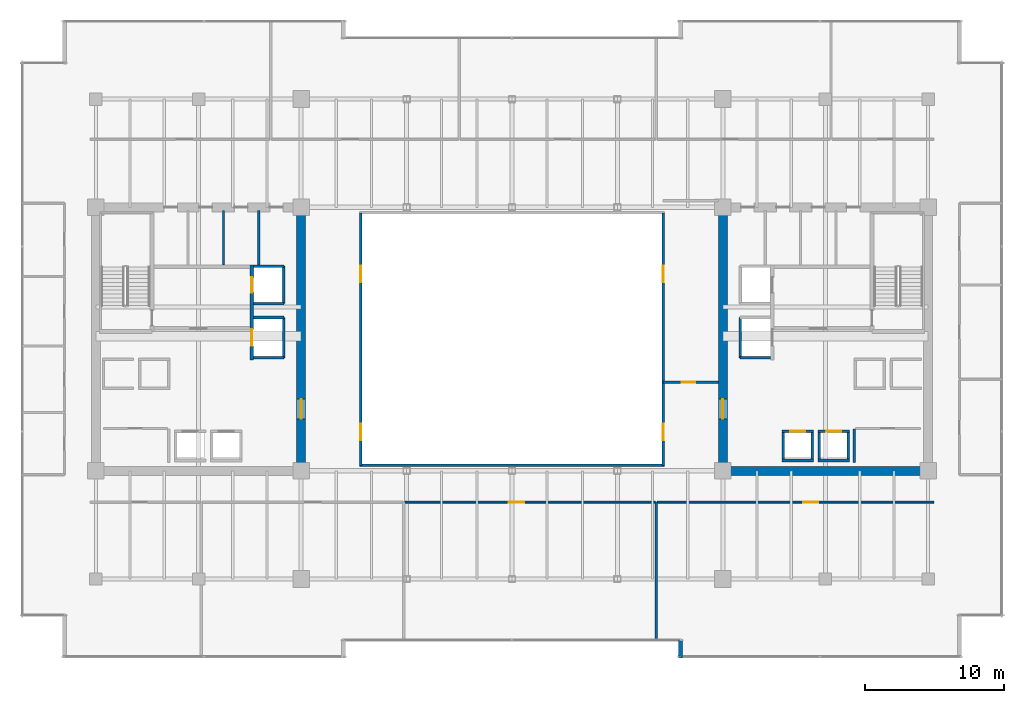
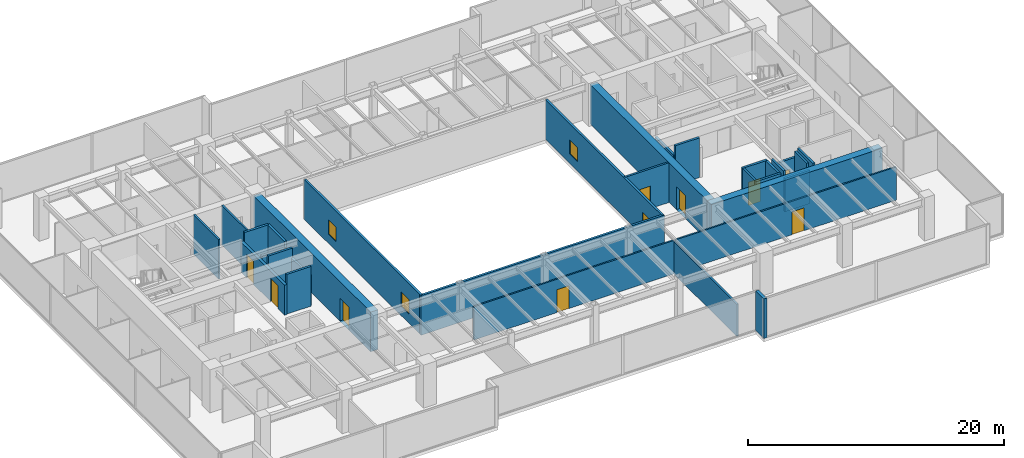
# One storey, part 26 of 31: 31 walls, 9 doors, 4 windows, 13 openings.
"""IFC4 building model written with IfcOpenShell, lengths in metres."""

from ifc_helpers import new_model, si_unit, direction, frame, frame_2d, origin, place, context, subcontext, project, spatial, rectangle, extrude, source, transform, mapped, material, layer, layer_set, type_object, type_shapes, element, fill, save


model = new_model("IFC4")

# Units and contexts
model_context = context("Model", 3, precision=1e-05, world=origin(), true_north=direction((0.0, 1.0)))
body_context = subcontext(model_context, "Body", "Model", "MODEL_VIEW")
ifc_project = project(units=[si_unit("LENGTHUNIT", "METRE"), si_unit("AREAUNIT", "SQUARE_METRE"), si_unit("VOLUMEUNIT", "CUBIC_METRE"), si_unit("PLANEANGLEUNIT", "RADIAN"), si_unit("MASSUNIT", "GRAM", prefix="KILO")], contexts=[model_context])

# Site, building, storey
site_placement = place(None, origin())
site = spatial("IfcSite", under=ifc_project, at=site_placement, CompositionType="ELEMENT")
building_placement = place(site_placement, origin())
building = spatial("IfcBuilding", under=site, at=building_placement, Name="Haelvirn Gate Laboratories", CompositionType="ELEMENT")
storey_placement = place(building_placement, frame((0.0, 0.0, 154.300048828125)))
storey = spatial("IfcBuildingStorey", under=building, at=storey_placement, Name="L37", CompositionType="ELEMENT", Elevation=154.300048828125)

# Walls
ifc_material_1 = material(Name="Thermally-broken bronze aluminium rainscreen & mineral wool", Category="aluminium")
ifc_layer_1 = layer(ifc_material_1, 0.280029296875, Name="EW-TERR-280")
ifc_layer_set_1 = layer_set([ifc_layer_1], Name="Thermally-broken bronze aluminium rainscreen & mineral wool")
wall_type_1 = type_object("IfcWallType", Name="EW-TERR-280", PredefinedType="STANDARD", material=ifc_layer_set_1)
wall_1_placement = place(storey_placement, frame((49.5400390625, 2.587890625, 0.0), z_axis=(0.0, 0.0, 1.0), x_axis=(0.0, -1.0, 0.0)))
element("IfcWall", 1, at=wall_1_placement, inside=storey, type_object=wall_type_1, Name="L37 Atrium Recess Bronze Return Wall 03", PredefinedType="STANDARD", context=body_context, shape_type="SweptSolid", body=[
    extrude(rectangle(XDim=1.287841796875, YDim=0.280029296875, at=frame_2d((0.64404296875, 0.0))), origin(), (0.0, 0.0, 1.0), 3.7900390625),
])
ifc_material_2 = material(Name="Double-layer acoustic gypsum laboratory partition", Category="gypsum")
ifc_layer_2 = layer(ifc_material_2, 0.159912109375, Name="IW-ACOUST-160")
ifc_layer_set_2 = layer_set([ifc_layer_2], Name="Double-layer acoustic gypsum laboratory partition")
wall_type_2 = type_object("IfcWallType", Name="IW-ACOUST-160", PredefinedType="PARTITIONING", material=ifc_layer_set_2)
wall_2_placement = place(storey_placement, frame((47.800048828125, 2.610107421875, 0.0), z_axis=(0.0, 0.0, 1.0), x_axis=(0.0, 1.0, 0.0)))
element("IfcWall", 2, at=wall_2_placement, inside=storey, type_object=wall_type_2, Name="L37 Interior Wall IW-L37-SDIV-03", PredefinedType="PARTITIONING", context=body_context, shape_type="SweptSolid", body=[
    extrude(rectangle(XDim=9.929931640625, YDim=0.159912109375, at=frame_2d((4.96484375, 0.0))), origin(), (0.0, 0.0, 1.0), 3.074951171875),
])

# Wall, opening, door
ifc_material_3 = material(Name="Fire-rated acoustic gypsum board partition", Category="gypsum")
ifc_layer_3 = layer(ifc_material_3, 0.175048828125, Name="IW-ACOUST-180")
ifc_layer_set_3 = layer_set([ifc_layer_3], Name="Fire-rated acoustic gypsum board partition")
wall_type_3 = type_object("IfcWallType", Name="IW-ACOUST-180", PredefinedType="PARTITIONING", material=ifc_layer_set_3)
wall_3_placement = place(storey_placement, frame((48.300048828125, 21.179931640625, 0.0), z_axis=(0.0, 0.0, 1.0), x_axis=(1.0, 0.0, 0.0)))
wall_3 = element("IfcWall", 3, at=wall_3_placement, inside=storey, type_object=wall_type_3, Name="L37 Interior Wall IW-L37-ASEM-S", PredefinedType="PARTITIONING", context=body_context, shape_type="SweptSolid", body=[
    extrude(rectangle(XDim=3.974853515625, YDim=0.175048828125, at=frame_2d((1.9873046875, 0.0))), origin(), (0.0, 0.0, 1.0), 3.7900390625),
])
opening_1_placement = place(wall_3_placement, frame((1.35009765625, 0.0, 0.0)))
opening_1 = element("IfcOpeningElement", 4, at=opening_1_placement, cuts=wall_3, Name="Opening FD4", PredefinedType="OPENING", context=body_context, shape_type="SweptSolid", body=[
    extrude(rectangle(XDim=0.949951171875, YDim=2.14990234375, at=frame_2d((0.47509765625, 1.074951171875))), frame((0.0, 0.09765625, 0.0), z_axis=(0.0, -1.0, 0.0), x_axis=(1.0, 0.0, 0.0)), (0.0, 0.0, 1.0), 0.195068359375),
])
ifc_material_4 = material(Name="Fire-rated steel SM355 core service door", Category="steel")
door_type_1 = type_object("IfcDoorType", Name="DR-FD-950", OperationType="NOTDEFINED", PredefinedType="DOOR", material=ifc_material_4)
shared_shape_1 = source(origin(), body_context, "Body", "SweptSolid", [
    extrude(rectangle(XDim=0.949951171875, YDim=2.14990234375, at=frame_2d((0.47509765625, 1.074951171875))), frame((0.0, 0.02490234375, 0.0), z_axis=(0.0, -1.0, 0.0), x_axis=(1.0, 0.0, 0.0)), (0.0, 0.0, 1.0), 0.050048828125),
])
type_shapes(door_type_1, [shared_shape_1])
door_1_placement = place(opening_1_placement, origin())
door_1 = element("IfcDoor", 5, at=door_1_placement, inside=storey, type_object=door_type_1, Name="L37 Atrium Bioinformatics Suite Door", OperationType="SINGLE_SWING_LEFT", OverallHeight=2.14990234375, OverallWidth=0.949951171875, PredefinedType="DOOR", context=body_context, shape_type="MappedRepresentation", body=[
    mapped(shared_shape_1, transform((0.0, 0.0, 0.0), scale=1.0)),
])
fill(opening_1, door_1)

# Wall, openings, windows
ifc_material_5 = material(Name="Tempered fire-rated borosilicate glass & anodised aluminium", Category="aluminium")
ifc_layer_4 = layer(ifc_material_5, 0.195068359375, Name="IW-GLAZ-200")
ifc_layer_set_4 = layer_set([ifc_layer_4], Name="Tempered fire-rated borosilicate glass & anodised aluminium")
wall_type_4 = type_object("IfcWallType", Name="IW-GLAZ-200", PredefinedType="SOLIDWALL", material=ifc_layer_set_4)
wall_4_placement = place(storey_placement, frame((26.5, 15.199951171875, 0.0), z_axis=(0.0, 0.0, 1.0), x_axis=(0.0, 1.0, 0.0)))
wall_4 = element("IfcWall", 6, at=wall_4_placement, inside=storey, type_object=wall_type_4, Name="L37 Interior Wall IW-L37-ATRIUM-W", PredefinedType="SOLIDWALL", context=body_context, shape_type="SweptSolid", body=[
    extrude(rectangle(XDim=18.199951171875, YDim=0.195068359375, at=frame_2d((9.10009765625, 0.0))), origin(), (0.0, 0.0, 1.0), 3.7900390625),
])
opening_2_placement = place(wall_4_placement, frame((1.800048828125, 0.0, 0.89990234375)))
opening_2 = element("IfcOpeningElement", 7, at=opening_2_placement, cuts=wall_4, Name="Opening W6", PredefinedType="OPENING", context=body_context, shape_type="SweptSolid", body=[
    extrude(rectangle(XDim=1.199951171875, YDim=1.35009765625, at=frame_2d((0.60009765625, 0.675048828125))), frame((0.0, 0.107421875, 0.0), z_axis=(0.0, -1.0, 0.0), x_axis=(1.0, 0.0, 0.0)), (0.0, 0.0, 1.0), 0.215087890625),
])
opening_3_placement = place(wall_4_placement, frame((13.199951171875, 0.0, 0.89990234375)))
opening_3 = element("IfcOpeningElement", 8, at=opening_3_placement, cuts=wall_4, Name="Opening W6", PredefinedType="OPENING", context=body_context, shape_type="SweptSolid", body=[
    extrude(rectangle(XDim=1.199951171875, YDim=1.35009765625, at=frame_2d((0.60009765625, 0.675048828125))), frame((0.0, 0.107421875, 0.0), z_axis=(0.0, -1.0, 0.0), x_axis=(1.0, 0.0, 0.0)), (0.0, 0.0, 1.0), 0.215087890625),
])
ifc_material_6 = material(Name="Fire-rated EI 120 borosilicate atrium vision glazing", Category="glass")
window_type = type_object("IfcWindowType", Name="WN-ATR-1200", PartitioningType="SINGLE_PANEL", PredefinedType="WINDOW", material=ifc_material_6)
shared_shape_2 = source(origin(), body_context, "Body", "SweptSolid", [
    extrude(rectangle(XDim=1.199951171875, YDim=1.35009765625, at=frame_2d((0.60009765625, 0.675048828125))), frame((0.0, 0.030029296875, 0.0), z_axis=(0.0, -1.0, 0.0), x_axis=(1.0, 0.0, 0.0)), (0.0, 0.0, 1.0), 0.06005859375),
])
type_shapes(window_type, [shared_shape_2])
window_1_placement = place(opening_2_placement, origin())
window_1 = element("IfcWindow", 9, at=window_1_placement, inside=storey, type_object=window_type, Name="L37 Atrium Observation Window 1", OverallHeight=1.35009765625, OverallWidth=1.199951171875, PartitioningType="SINGLE_PANEL", PredefinedType="WINDOW", context=body_context, shape_type="MappedRepresentation", body=[
    mapped(shared_shape_2, transform((0.0, 0.0, 0.0), scale=1.0)),
])
fill(opening_2, window_1)
window_2_placement = place(opening_3_placement, origin())
window_2 = element("IfcWindow", 10, at=window_2_placement, inside=storey, type_object=window_type, Name="L37 Atrium Observation Window 2", OverallHeight=1.35009765625, OverallWidth=1.199951171875, PartitioningType="SINGLE_PANEL", PredefinedType="WINDOW", context=body_context, shape_type="MappedRepresentation", body=[
    mapped(shared_shape_2, transform((0.0, 0.0, 0.0), scale=1.0)),
])
fill(opening_3, window_2)

wall_5_placement = place(storey_placement, frame((48.300048828125, 15.199951171875, 0.0), z_axis=(0.0, 0.0, 1.0), x_axis=(0.0, 1.0, 0.0)))
wall_5 = element("IfcWall", 11, at=wall_5_placement, inside=storey, type_object=wall_type_4, Name="L37 Interior Wall IW-L37-ATRIUM-E", PredefinedType="SOLIDWALL", context=body_context, shape_type="SweptSolid", body=[
    extrude(rectangle(XDim=18.199951171875, YDim=0.195068359375, at=frame_2d((9.10009765625, 0.0))), origin(), (0.0, 0.0, 1.0), 3.7900390625),
])
opening_4_placement = place(wall_5_placement, frame((1.800048828125, 0.0, 0.89990234375)))
opening_4 = element("IfcOpeningElement", 12, at=opening_4_placement, cuts=wall_5, Name="Opening W6", PredefinedType="OPENING", context=body_context, shape_type="SweptSolid", body=[
    extrude(rectangle(XDim=1.199951171875, YDim=1.35009765625, at=frame_2d((0.60009765625, 0.675048828125))), frame((0.0, 0.107421875, 0.0), z_axis=(0.0, -1.0, 0.0), x_axis=(1.0, 0.0, 0.0)), (0.0, 0.0, 1.0), 0.215087890625),
])
opening_5_placement = place(wall_5_placement, frame((13.199951171875, 0.0, 0.89990234375)))
opening_5 = element("IfcOpeningElement", 13, at=opening_5_placement, cuts=wall_5, Name="Opening W6", PredefinedType="OPENING", context=body_context, shape_type="SweptSolid", body=[
    extrude(rectangle(XDim=1.199951171875, YDim=1.35009765625, at=frame_2d((0.60009765625, 0.675048828125))), frame((0.0, 0.107421875, 0.0), z_axis=(0.0, -1.0, 0.0), x_axis=(1.0, 0.0, 0.0)), (0.0, 0.0, 1.0), 0.215087890625),
])
window_3_placement = place(opening_4_placement, origin())
window_3 = element("IfcWindow", 14, at=window_3_placement, inside=storey, type_object=window_type, Name="L37 Atrium Observation Window 1", OverallHeight=1.35009765625, OverallWidth=1.199951171875, PartitioningType="SINGLE_PANEL", PredefinedType="WINDOW", context=body_context, shape_type="MappedRepresentation", body=[
    mapped(shared_shape_2, transform((0.0, 0.0, 0.0), scale=1.0)),
])
fill(opening_4, window_3)
window_4_placement = place(opening_5_placement, origin())
window_4 = element("IfcWindow", 15, at=window_4_placement, inside=storey, type_object=window_type, Name="L37 Atrium Observation Window 2", OverallHeight=1.35009765625, OverallWidth=1.199951171875, PartitioningType="SINGLE_PANEL", PredefinedType="WINDOW", context=body_context, shape_type="MappedRepresentation", body=[
    mapped(shared_shape_2, transform((0.0, 0.0, 0.0), scale=1.0)),
])
fill(opening_5, window_4)

# Wall
wall_6_placement = place(storey_placement, frame((26.39990234375, 15.199951171875, 0.0), z_axis=(0.0, 0.0, 1.0), x_axis=(1.0, 0.0, 0.0)))
element("IfcWall", 16, at=wall_6_placement, inside=storey, type_object=wall_type_4, Name="L37 Interior Wall IW-L37-ATRIUM-S", PredefinedType="SOLIDWALL", context=body_context, shape_type="SweptSolid", body=[
    extrude(rectangle(XDim=22.0, YDim=0.195068359375, at=frame_2d((11.0, 0.0))), origin(), (0.0, 0.0, 1.0), 3.7900390625),
])

# Wall, opening, door
ifc_material_7 = material(Name="Acoustic mineral-wool gypsum board partition", Category="gypsum")
ifc_layer_5 = layer(ifc_material_7, 0.139892578125, Name="IW-PART-140")
ifc_layer_set_5 = layer_set([ifc_layer_5], Name="Acoustic mineral-wool gypsum board partition")
wall_type_5 = type_object("IfcWallType", Name="IW-PART-140", PredefinedType="PARTITIONING", material=ifc_layer_set_5)
wall_7_placement = place(storey_placement, frame((29.679931640625, 12.5400390625, 0.0), z_axis=(0.0, 0.0, 1.0), x_axis=(1.0, 0.0, 0.0)))
wall_7 = element("IfcWall", 17, at=wall_7_placement, inside=storey, type_object=wall_type_5, Name="L37 Interior Wall IW-L37-SCORR-03", PredefinedType="PARTITIONING", context=body_context, shape_type="SweptSolid", body=[
    extrude(rectangle(XDim=18.0400390625, YDim=0.139892578125, at=frame_2d((9.02001953125, 0.0))), origin(), (0.0, 0.0, 1.0), 3.18701171875),
])
opening_6_placement = place(wall_7_placement, frame((7.49560546875, 0.0, 0.0)))
opening_6 = element("IfcOpeningElement", 18, at=opening_6_placement, cuts=wall_7, Name="Opening D1", PredefinedType="OPENING", context=body_context, shape_type="SweptSolid", body=[
    extrude(rectangle(XDim=1.10009765625, YDim=2.179931640625, at=frame_2d((0.550048828125, 1.08984375))), frame((0.0, 0.080078125, 0.0), z_axis=(0.0, -1.0, 0.0), x_axis=(1.0, 0.0, 0.0)), (0.0, 0.0, 1.0), 0.159912109375),
])
ifc_material_8 = material(Name="Vision-panel acoustic solid-core timber lab door", Category="wood")
door_type_2 = type_object("IfcDoorType", Name="DR-LAB-1100", OperationType="NOTDEFINED", PredefinedType="DOOR", material=ifc_material_8)
shared_shape_3 = source(origin(), body_context, "Body", "SweptSolid", [
    extrude(rectangle(XDim=1.10009765625, YDim=2.179931640625, at=frame_2d((0.550048828125, 1.08984375))), frame((0.0, 0.02490234375, 0.0), z_axis=(0.0, -1.0, 0.0), x_axis=(1.0, 0.0, 0.0)), (0.0, 0.0, 1.0), 0.050048828125),
])
type_shapes(door_type_2, [shared_shape_3])
door_2_placement = place(opening_6_placement, origin())
door_2 = element("IfcDoor", 19, at=door_2_placement, inside=storey, type_object=door_type_2, Name="L37 Protocol Briefing Training Room Door S3", OperationType="SINGLE_SWING_RIGHT", OverallHeight=2.179931640625, OverallWidth=1.10009765625, PredefinedType="DOOR", context=body_context, shape_type="MappedRepresentation", body=[
    mapped(shared_shape_3, transform((0.0, 0.0, 0.0), scale=1.0)),
])
fill(opening_6, door_2)

wall_8_placement = place(storey_placement, frame((47.8798828125, 12.5400390625, 0.0), z_axis=(0.0, 0.0, 1.0), x_axis=(1.0, 0.0, 0.0)))
wall_8 = element("IfcWall", 20, at=wall_8_placement, inside=storey, type_object=wall_type_5, Name="L37 Interior Wall IW-L37-SCORR-04", PredefinedType="PARTITIONING", context=body_context, shape_type="SweptSolid", body=[
    extrude(rectangle(XDim=19.940185546875, YDim=0.139892578125, at=frame_2d((9.97021484375, 0.0))), origin(), (0.0, 0.0, 1.0), 3.18701171875),
])
opening_7_placement = place(wall_8_placement, frame((10.50830078125, 0.0, 0.0)))
opening_7 = element("IfcOpeningElement", 21, at=opening_7_placement, cuts=wall_8, Name="Opening D1", PredefinedType="OPENING", context=body_context, shape_type="SweptSolid", body=[
    extrude(rectangle(XDim=1.10009765625, YDim=2.179931640625, at=frame_2d((0.550048828125, 1.08984375))), frame((0.0, 0.080078125, 0.0), z_axis=(0.0, -1.0, 0.0), x_axis=(1.0, 0.0, 0.0)), (0.0, 0.0, 1.0), 0.159912109375),
])
door_3_placement = place(opening_7_placement, origin())
door_3 = element("IfcDoor", 22, at=door_3_placement, inside=storey, type_object=door_type_2, Name="L37 Peer-Review Seminar Room Door S4", OperationType="SINGLE_SWING_LEFT", OverallHeight=2.179931640625, OverallWidth=1.10009765625, PredefinedType="DOOR", context=body_context, shape_type="MappedRepresentation", body=[
    mapped(shared_shape_3, transform((0.0, 0.0, 0.0), scale=1.0)),
])
fill(opening_7, door_3)

# Walls
ifc_material_9 = material(Name="Cement-board restroom plumbing chase wall", Category="gypsum")
ifc_layer_6 = layer(ifc_material_9, 0.155029296875, Name="IW-PLUMB-160")
ifc_layer_set_6 = layer_set([ifc_layer_6], Name="Cement-board restroom plumbing chase wall")
wall_type_6 = type_object("IfcWallType", Name="IW-PLUMB-160", PredefinedType="PLUMBINGWALL", material=ifc_layer_set_6)
for number, where, z_axis, x_axis, name in (
    (23, (16.590087890625, 29.64990234375, 0.0), (0.0, 0.0, 1.0), (0.0, 1.0, 0.0), "L37 Interior Wall IW-L37-W-CDIV-2"),
    (24, (19.139892578125, 29.64990234375, 0.0), (0.0, 0.0, 1.0), (0.0, 1.0, 0.0), "L37 Interior Wall IW-L37-W-CDIV-3"),
):
    element("IfcWall", number, at=place(storey_placement, frame(where, z_axis=z_axis, x_axis=x_axis)), inside=storey, type_object=wall_type_6, Name=name, PredefinedType="PLUMBINGWALL", context=body_context, shape_type="SweptSolid", body=[
        extrude(rectangle(XDim=3.93017578125, YDim=0.155029296875, at=frame_2d((1.965087890625, 0.0))), origin(), (0.0, 0.0, 1.0), 3.7900390625),
    ])
ifc_material_10 = material(Name="Concrete C40/50", Category="concrete")
ifc_layer_7 = layer(ifc_material_10, 0.179931640625, Name="IW-SHAFT-180")
ifc_layer_set_7 = layer_set([ifc_layer_7], Name="Concrete C40/50")
wall_type_7 = type_object("IfcWallType", Name="IW-SHAFT-180", PredefinedType="SOLIDWALL", material=ifc_layer_set_7)
for number, where, z_axis, x_axis, name in (
    (25, (59.550048828125, 15.64990234375, 0.0), (0.0, 0.0, 1.0), (0.0, 1.0, 0.0), "L37 Interior Wall IW-L37-PL7-SD"),
    (26, (61.64990234375, 15.64990234375, 0.0), (0.0, 0.0, 1.0), (0.0, 1.0, 0.0), "L37 Interior Wall IW-L37-PL7-SDE"),
    (27, (56.949951171875, 15.64990234375, 0.0), (0.0, 0.0, 1.0), (0.0, 1.0, 0.0), "L37 Interior Wall IW-L37-PL8-SD"),
    (28, (59.050048828125, 15.64990234375, 0.0), (0.0, 0.0, 1.0), (0.0, 1.0, 0.0), "L37 Interior Wall IW-L37-PL8-SDE"),
):
    element("IfcWall", number, at=place(storey_placement, frame(where, z_axis=z_axis, x_axis=x_axis)), inside=storey, type_object=wall_type_7, Name=name, PredefinedType="SOLIDWALL", context=body_context, shape_type="SweptSolid", body=[
        extrude(rectangle(XDim=1.900146484375, YDim=0.179931640625, at=frame_2d((0.9501953125, 0.0))), origin(), (0.0, 0.0, 1.0), 3.7900390625),
    ])
wall_9_placement = place(storey_placement, frame((62.06005859375, 15.39990234375, 0.0), z_axis=(0.0, 0.0, 1.0), x_axis=(0.0, 1.0, 0.0)))
element("IfcWall", 29, at=wall_9_placement, inside=storey, type_object=wall_type_7, Name="L37 Interior Wall IW-L37-E-FREED-LE-1", PredefinedType="SOLIDWALL", context=body_context, shape_type="SweptSolid", body=[
    extrude(rectangle(XDim=2.400146484375, YDim=0.179931640625, at=frame_2d((1.2001953125, 0.0))), origin(), (0.0, 0.0, 1.0), 3.7900390625),
])
ifc_layer_8 = layer(ifc_material_10, 0.199951171875, Name="IW-SHAFT-200")
ifc_layer_set_8 = layer_set([ifc_layer_8], Name="Concrete C40/50")
wall_type_8 = type_object("IfcWallType", Name="IW-SHAFT-200", PredefinedType="SOLIDWALL", material=ifc_layer_set_8)
wall_10_placement = place(storey_placement, frame((20.949951171875, 26.85009765625, 0.0), z_axis=(0.0, 0.0, 1.0), x_axis=(0.0, 1.0, 0.0)))
element("IfcWall", 30, at=wall_10_placement, inside=storey, type_object=wall_type_8, Name="L37 Interior Wall IW-L37-FL1-BK", PredefinedType="SOLIDWALL", context=body_context, shape_type="SweptSolid", body=[
    extrude(rectangle(XDim=2.699951171875, YDim=0.199951171875, at=frame_2d((1.35009765625, 0.0))), origin(), (0.0, 0.0, 1.0), 3.7900390625),
])
wall_11_placement = place(storey_placement, frame((18.760009765625, 29.550048828125, 0.0), z_axis=(0.0, 0.0, 1.0), x_axis=(1.0, 0.0, 0.0)))
element("IfcWall", 31, at=wall_11_placement, inside=storey, type_object=wall_type_8, Name="L37 Interior Wall IW-L37-FL1-N", PredefinedType="SOLIDWALL", context=body_context, shape_type="SweptSolid", body=[
    extrude(rectangle(XDim=2.18994140625, YDim=0.199951171875, at=frame_2d((1.094970703125, 0.0))), origin(), (0.0, 0.0, 1.0), 3.7900390625),
])
wall_12_placement = place(storey_placement, frame((18.760009765625, 26.85009765625, 0.0), z_axis=(0.0, 0.0, 1.0), x_axis=(1.0, 0.0, 0.0)))
element("IfcWall", 32, at=wall_12_placement, inside=storey, type_object=wall_type_8, Name="L37 Interior Wall IW-L37-FL1-S", PredefinedType="SOLIDWALL", context=body_context, shape_type="SweptSolid", body=[
    extrude(rectangle(XDim=2.18994140625, YDim=0.199951171875, at=frame_2d((1.094970703125, 0.0))), origin(), (0.0, 0.0, 1.0), 3.18701171875),
])
wall_13_placement = place(storey_placement, frame((20.949951171875, 22.949951171875, 0.0), z_axis=(0.0, 0.0, 1.0), x_axis=(0.0, 1.0, 0.0)))
element("IfcWall", 33, at=wall_13_placement, inside=storey, type_object=wall_type_8, Name="L37 Interior Wall IW-L37-SL1-BK", PredefinedType="SOLIDWALL", context=body_context, shape_type="SweptSolid", body=[
    extrude(rectangle(XDim=2.900146484375, YDim=0.199951171875, at=frame_2d((1.4501953125, 0.0))), origin(), (0.0, 0.0, 1.0), 2.875),
])
for number, where, z_axis, x_axis, name in (
    (34, (18.760009765625, 25.85009765625, 0.0), (0.0, 0.0, 1.0), (1.0, 0.0, 0.0), "L37 Interior Wall IW-L37-SL1-N"),
    (35, (18.760009765625, 22.949951171875, 0.0), (0.0, 0.0, 1.0), (1.0, 0.0, 0.0), "L37 Interior Wall IW-L37-SL1-S"),
):
    element("IfcWall", number, at=place(storey_placement, frame(where, z_axis=z_axis, x_axis=x_axis)), inside=storey, type_object=wall_type_8, Name=name, PredefinedType="SOLIDWALL", context=body_context, shape_type="SweptSolid", body=[
        extrude(rectangle(XDim=2.18994140625, YDim=0.199951171875, at=frame_2d((1.094970703125, 0.0))), origin(), (0.0, 0.0, 1.0), 3.7900390625),
    ])

# Wall, opening, door
wall_14_placement = place(storey_placement, frame((59.469970703125, 17.64990234375, 0.0), z_axis=(0.0, 0.0, 1.0), x_axis=(1.0, 0.0, 0.0)))
wall_14 = element("IfcWall", 36, at=wall_14_placement, inside=storey, type_object=wall_type_8, Name="L37 Interior Wall IW-L37-PL7-FR", PredefinedType="SOLIDWALL", context=body_context, shape_type="SweptSolid", body=[
    extrude(rectangle(XDim=2.260009765625, YDim=0.199951171875, at=frame_2d((1.1298828125, 0.0))), origin(), (0.0, 0.0, 1.0), 3.18701171875),
])
opening_8_placement = place(wall_14_placement, frame((0.580078125, 0.0, 0.0)))
opening_8 = element("IfcOpeningElement", 37, at=opening_8_placement, cuts=wall_14, Name="Opening LD2", PredefinedType="OPENING", context=body_context, shape_type="SweptSolid", body=[
    extrude(rectangle(XDim=1.10009765625, YDim=2.219970703125, at=frame_2d((0.550048828125, 1.10986328125))), frame((0.0, 0.10986328125, 0.0), z_axis=(0.0, -1.0, 0.0), x_axis=(1.0, 0.0, 0.0)), (0.0, 0.0, 1.0), 0.219970703125),
])
ifc_material_11 = material(Name="Bronze stainless 316L sliding lift landing door")
door_type_3 = type_object("IfcDoorType", Name="DR-LD-1100", OperationType="NOTDEFINED", PredefinedType="USERDEFINED", material=ifc_material_11)
shared_shape_4 = source(origin(), body_context, "Body", "SweptSolid", [
    extrude(rectangle(XDim=1.10009765625, YDim=2.219970703125, at=frame_2d((0.550048828125, 1.10986328125))), frame((0.0, 0.02490234375, 0.0), z_axis=(0.0, -1.0, 0.0), x_axis=(1.0, 0.0, 0.0)), (0.0, 0.0, 1.0), 0.050048828125),
])
type_shapes(door_type_3, [shared_shape_4])
door_4_placement = place(opening_8_placement, origin())
door_4 = element("IfcDoor", 38, at=door_4_placement, inside=storey, type_object=door_type_3, Name="L37 Passenger Lift PL7 Landing Door", ObjectType="LANDING_DOOR", OperationType="SLIDING_TO_LEFT", OverallHeight=2.219970703125, OverallWidth=1.10009765625, PredefinedType="USERDEFINED", context=body_context, shape_type="MappedRepresentation", body=[
    mapped(shared_shape_4, transform((0.0, 0.0, 0.0), scale=1.0)),
])
fill(opening_8, door_4)

# Wall
wall_15_placement = place(storey_placement, frame((59.469970703125, 15.550048828125, 0.0), z_axis=(0.0, 0.0, 1.0), x_axis=(1.0, 0.0, 0.0)))
element("IfcWall", 39, at=wall_15_placement, inside=storey, type_object=wall_type_8, Name="L37 Interior Wall IW-L37-PL7-BK", PredefinedType="SOLIDWALL", context=body_context, shape_type="SweptSolid", body=[
    extrude(rectangle(XDim=2.260009765625, YDim=0.199951171875, at=frame_2d((1.1298828125, 0.0))), origin(), (0.0, 0.0, 1.0), 3.18701171875),
])

# Wall, opening, door
wall_16_placement = place(storey_placement, frame((56.8701171875, 17.64990234375, 0.0), z_axis=(0.0, 0.0, 1.0), x_axis=(1.0, 0.0, 0.0)))
wall_16 = element("IfcWall", 40, at=wall_16_placement, inside=storey, type_object=wall_type_8, Name="L37 Interior Wall IW-L37-PL8-FR", PredefinedType="SOLIDWALL", context=body_context, shape_type="SweptSolid", body=[
    extrude(rectangle(XDim=2.259765625, YDim=0.199951171875, at=frame_2d((1.1298828125, 0.0))), origin(), (0.0, 0.0, 1.0), 3.7900390625),
])
opening_9_placement = place(wall_16_placement, frame((0.580078125, 0.0, 0.0)))
opening_9 = element("IfcOpeningElement", 41, at=opening_9_placement, cuts=wall_16, Name="Opening LD2", PredefinedType="OPENING", context=body_context, shape_type="SweptSolid", body=[
    extrude(rectangle(XDim=1.10009765625, YDim=2.219970703125, at=frame_2d((0.550048828125, 1.10986328125))), frame((0.0, 0.10986328125, 0.0), z_axis=(0.0, -1.0, 0.0), x_axis=(1.0, 0.0, 0.0)), (0.0, 0.0, 1.0), 0.219970703125),
])
door_5_placement = place(opening_9_placement, origin())
door_5 = element("IfcDoor", 42, at=door_5_placement, inside=storey, type_object=door_type_3, Name="L37 Passenger Lift PL8 Landing Door", ObjectType="LANDING_DOOR", OperationType="SLIDING_TO_RIGHT", OverallHeight=2.219970703125, OverallWidth=1.10009765625, PredefinedType="USERDEFINED", context=body_context, shape_type="MappedRepresentation", body=[
    mapped(shared_shape_4, transform((0.0, 0.0, 0.0), scale=1.0)),
])
fill(opening_9, door_5)

# Walls
wall_17_placement = place(storey_placement, frame((56.8701171875, 15.550048828125, 0.0), z_axis=(0.0, 0.0, 1.0), x_axis=(1.0, 0.0, 0.0)))
element("IfcWall", 43, at=wall_17_placement, inside=storey, type_object=wall_type_8, Name="L37 Interior Wall IW-L37-PL8-BK", PredefinedType="SOLIDWALL", context=body_context, shape_type="SweptSolid", body=[
    extrude(rectangle(XDim=2.259765625, YDim=0.199951171875, at=frame_2d((1.1298828125, 0.0))), origin(), (0.0, 0.0, 1.0), 3.7900390625),
])
wall_18_placement = place(storey_placement, frame((53.85009765625, 22.949951171875, 0.0), z_axis=(0.0, 0.0, 1.0), x_axis=(0.0, 1.0, 0.0)))
element("IfcWall", 44, at=wall_18_placement, inside=storey, type_object=wall_type_8, Name="L37 Interior Wall IW-L37-SL2-BK", PredefinedType="SOLIDWALL", context=body_context, shape_type="SweptSolid", body=[
    extrude(rectangle(XDim=2.900146484375, YDim=0.199951171875, at=frame_2d((1.4501953125, 0.0))), origin(), (0.0, 0.0, 1.0), 2.875),
])
wall_19_placement = place(storey_placement, frame((53.85009765625, 22.949951171875, 0.0), z_axis=(0.0, 0.0, 1.0), x_axis=(1.0, 0.0, 0.0)))
element("IfcWall", 45, at=wall_19_placement, inside=storey, type_object=wall_type_8, Name="L37 Interior Wall IW-L37-SL2-S", PredefinedType="SOLIDWALL", context=body_context, shape_type="SweptSolid", body=[
    extrude(rectangle(XDim=2.18994140625, YDim=0.199951171875, at=frame_2d((1.094970703125, 0.0))), origin(), (0.0, 0.0, 1.0), 3.7900390625),
])

# Wall, openings, doors
ifc_layer_9 = layer(ifc_material_10, 0.239990234375, Name="IW-SHAFT-240")
ifc_layer_set_9 = layer_set([ifc_layer_9], Name="Concrete C40/50")
wall_type_9 = type_object("IfcWallType", Name="IW-SHAFT-240", PredefinedType="SOLIDWALL", material=ifc_layer_set_9)
wall_20_placement = place(storey_placement, frame((18.639892578125, 22.800048828125, 0.0), z_axis=(0.0, 0.0, 1.0), x_axis=(0.0, 1.0, 0.0)))
wall_20 = element("IfcWall", 46, at=wall_20_placement, inside=storey, type_object=wall_type_9, Name="L37 Interior Wall IW-L37-W-FF-E", PredefinedType="SOLIDWALL", context=body_context, shape_type="SweptSolid", body=[
    extrude(rectangle(XDim=6.849853515625, YDim=0.239990234375, at=frame_2d((3.4248046875, 0.0))), origin(), (0.0, 0.0, 1.0), 2.875),
])
opening_10_placement = place(wall_20_placement, frame((4.85009765625, 0.0, 0.0)))
opening_10 = element("IfcOpeningElement", 47, at=opening_10_placement, cuts=wall_20, Name="Opening LD2", PredefinedType="OPENING", context=body_context, shape_type="SweptSolid", body=[
    extrude(rectangle(XDim=1.10009765625, YDim=2.219970703125, at=frame_2d((0.550048828125, 1.10986328125))), frame((0.0, 0.1298828125, 0.0), z_axis=(0.0, -1.0, 0.0), x_axis=(1.0, 0.0, 0.0)), (0.0, 0.0, 1.0), 0.260009765625),
])
opening_11_placement = place(wall_20_placement, frame((1.0, 0.0, 0.0)))
opening_11 = element("IfcOpeningElement", 48, at=opening_11_placement, cuts=wall_20, Name="Opening LD1", PredefinedType="OPENING", context=body_context, shape_type="SweptSolid", body=[
    extrude(rectangle(XDim=1.199951171875, YDim=2.219970703125, at=frame_2d((0.60009765625, 1.10986328125))), frame((0.0, 0.1298828125, 0.0), z_axis=(0.0, -1.0, 0.0), x_axis=(1.0, 0.0, 0.0)), (0.0, 0.0, 1.0), 0.260009765625),
])
door_6_placement = place(opening_10_placement, origin())
door_6 = element("IfcDoor", 49, at=door_6_placement, inside=storey, type_object=door_type_3, Name="L37 Firefighting Lift FL1 Landing Door", ObjectType="LANDING_DOOR", OperationType="SLIDING_TO_LEFT", OverallHeight=2.219970703125, OverallWidth=1.10009765625, PredefinedType="USERDEFINED", context=body_context, shape_type="MappedRepresentation", body=[
    mapped(shared_shape_4, transform((0.0, 0.0, 0.0), scale=1.0)),
])
fill(opening_10, door_6)
ifc_material_12 = material(Name="Stainless steel 316L sliding goods landing door", Category="steel")
door_type_4 = type_object("IfcDoorType", Name="DR-LD-1200", OperationType="NOTDEFINED", PredefinedType="USERDEFINED", material=ifc_material_12)
shared_shape_5 = source(origin(), body_context, "Body", "SweptSolid", [
    extrude(rectangle(XDim=1.199951171875, YDim=2.219970703125, at=frame_2d((0.60009765625, 1.10986328125))), frame((0.0, 0.02490234375, 0.0), z_axis=(0.0, -1.0, 0.0), x_axis=(1.0, 0.0, 0.0)), (0.0, 0.0, 1.0), 0.050048828125),
])
type_shapes(door_type_4, [shared_shape_5])
door_7_placement = place(opening_11_placement, origin())
door_7 = element("IfcDoor", 50, at=door_7_placement, inside=storey, type_object=door_type_4, Name="L37 Service Lift SL1 Landing Door", ObjectType="LANDING_DOOR", OperationType="SLIDING_TO_RIGHT", OverallHeight=2.219970703125, OverallWidth=1.199951171875, PredefinedType="USERDEFINED", context=body_context, shape_type="MappedRepresentation", body=[
    mapped(shared_shape_5, transform((0.0, 0.0, 0.0), scale=1.0)),
])
fill(opening_11, door_7)

# Wall, opening, door
ifc_material_13 = material(Name="Concrete C60/75", Category="concrete")
ifc_layer_10 = layer(ifc_material_13, 0.64990234375, Name="SW-CORE-650")
ifc_layer_set_10 = layer_set([ifc_layer_10], Name="Concrete C60/75")
wall_type_10 = type_object("IfcWallType", Name="SW-CORE-650", PredefinedType="SHEAR", material=ifc_layer_set_10)
wall_21_placement = place(storey_placement, frame((22.199951171875, 15.125, 0.0), z_axis=(0.0, 0.0, 1.0), x_axis=(0.0, 1.0, 0.0)))
wall_21 = element("IfcWall", 51, at=wall_21_placement, inside=storey, type_object=wall_type_10, Name="L37 W Core Shear Wall E", PredefinedType="SHEAR", context=body_context, shape_type="SweptSolid", body=[
    extrude(rectangle(XDim=18.35009765625, YDim=0.64990234375, at=frame_2d((9.175048828125, 0.0))), origin(), (0.0, 0.0, 1.0), 3.7900390625),
])
opening_12_placement = place(wall_21_placement, frame((3.425048828125, 0.0, 0.0)))
opening_12 = element("IfcOpeningElement", 52, at=opening_12_placement, cuts=wall_21, Name="Opening FD1", PredefinedType="OPENING", context=body_context, shape_type="SweptSolid", body=[
    extrude(rectangle(XDim=1.419921875, YDim=2.199951171875, at=frame_2d((0.7099609375, 1.10009765625))), frame((0.0, 0.3349609375, 0.0), z_axis=(0.0, -1.0, 0.0), x_axis=(1.0, 0.0, 0.0)), (0.0, 0.0, 1.0), 0.669921875),
])
ifc_material_14 = material(Name="Fire-rated double steel SM355 lobby door", Category="steel")
door_type_5 = type_object("IfcDoorType", Name="DR-FD-1400", OperationType="NOTDEFINED", PredefinedType="DOOR", material=ifc_material_14)
shared_shape_6 = source(origin(), body_context, "Body", "SweptSolid", [
    extrude(rectangle(XDim=1.419921875, YDim=2.199951171875, at=frame_2d((0.7099609375, 1.10009765625))), frame((0.0, 0.02490234375, 0.0), z_axis=(0.0, -1.0, 0.0), x_axis=(1.0, 0.0, 0.0)), (0.0, 0.0, 1.0), 0.050048828125),
])
type_shapes(door_type_5, [shared_shape_6])
door_8_placement = place(opening_12_placement, origin())
door_8 = element("IfcDoor", 53, at=door_8_placement, inside=storey, type_object=door_type_5, Name="L37 West Core Lift Lobby Fire Door", OperationType="DOUBLE_DOOR_SINGLE_SWING", OverallHeight=2.199951171875, OverallWidth=1.419921875, PredefinedType="DOOR", context=body_context, shape_type="MappedRepresentation", body=[
    mapped(shared_shape_6, transform((0.0, 0.0, 0.0), scale=1.0)),
])
fill(opening_12, door_8)

# Wall
wall_22_placement = place(storey_placement, frame((52.27490234375, 14.800048828125, 0.0), z_axis=(0.0, 0.0, 1.0), x_axis=(1.0, 0.0, 0.0)))
element("IfcWall", 54, at=wall_22_placement, inside=storey, type_object=wall_type_10, Name="L37 E Core Shear Wall S", PredefinedType="SHEAR", context=body_context, shape_type="SweptSolid", body=[
    extrude(rectangle(XDim=15.4501953125, YDim=0.64990234375, at=frame_2d((7.72509765625, 0.0))), origin(), (0.0, 0.0, 1.0), 3.7900390625),
])

# Wall, opening, door
wall_23_placement = place(storey_placement, frame((52.60009765625, 15.125, 0.0), z_axis=(0.0, 0.0, 1.0), x_axis=(0.0, 1.0, 0.0)))
wall_23 = element("IfcWall", 55, at=wall_23_placement, inside=storey, type_object=wall_type_10, Name="L37 E Core Shear Wall W", PredefinedType="SHEAR", context=body_context, shape_type="SweptSolid", body=[
    extrude(rectangle(XDim=18.35009765625, YDim=0.64990234375, at=frame_2d((9.175048828125, 0.0))), origin(), (0.0, 0.0, 1.0), 3.7900390625),
])
opening_13_placement = place(wall_23_placement, frame((3.425048828125, 0.0, 0.0)))
opening_13 = element("IfcOpeningElement", 56, at=opening_13_placement, cuts=wall_23, Name="Opening FD1", PredefinedType="OPENING", context=body_context, shape_type="SweptSolid", body=[
    extrude(rectangle(XDim=1.419921875, YDim=2.199951171875, at=frame_2d((0.7099609375, 1.10009765625))), frame((0.0, 0.3349609375, 0.0), z_axis=(0.0, -1.0, 0.0), x_axis=(1.0, 0.0, 0.0)), (0.0, 0.0, 1.0), 0.669921875),
])
door_9_placement = place(opening_13_placement, origin())
door_9 = element("IfcDoor", 57, at=door_9_placement, inside=storey, type_object=door_type_5, Name="L37 East Core Lift Lobby Fire Door", OperationType="DOUBLE_DOOR_SINGLE_SWING", OverallHeight=2.199951171875, OverallWidth=1.419921875, PredefinedType="DOOR", context=body_context, shape_type="MappedRepresentation", body=[
    mapped(shared_shape_6, transform((0.0, 0.0, 0.0), scale=1.0)),
])
fill(opening_13, door_9)

save(model, "model.ifc")
